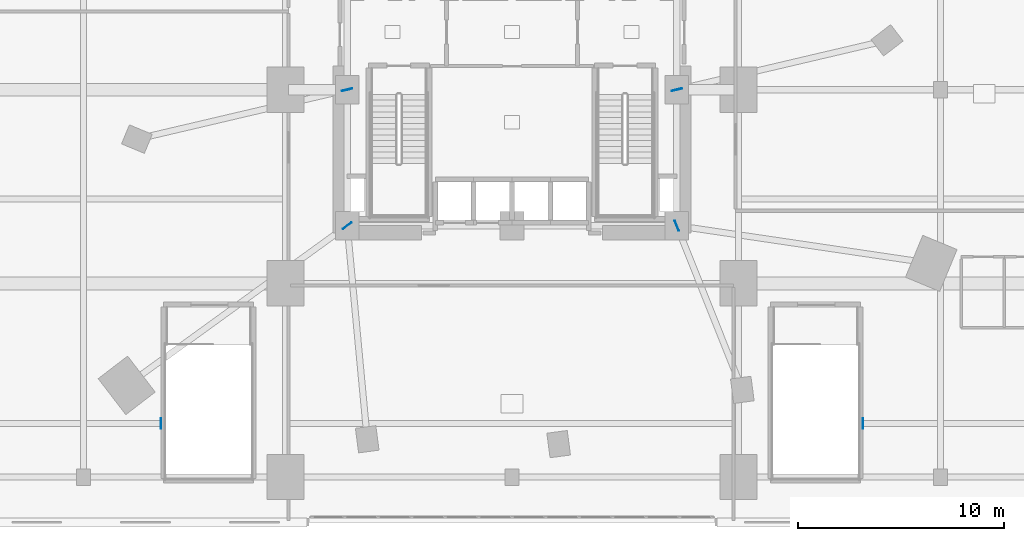
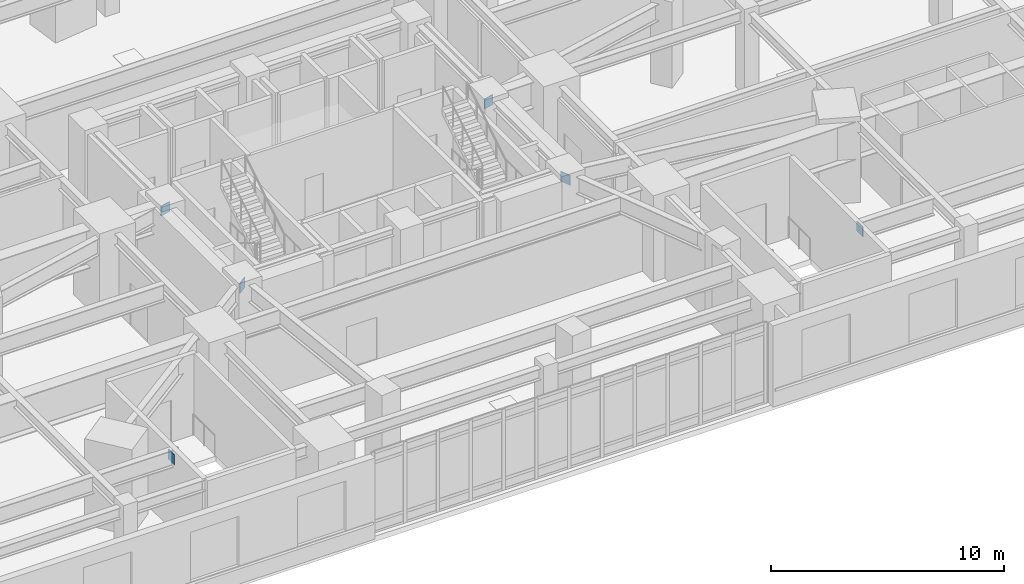
# One storey, part 13 of 20: 6 plates.
"""IFC4 building model written with IfcOpenShell, lengths in metres."""

from ifc_helpers import new_model, si_unit, direction, frame, origin, origin_2d, place, context, subcontext, project, spatial, rectangle, extrude, material, layer, layer_set, type_object, element, save


model = new_model("IFC4")

# Units and contexts
model_context = context("Model", 3, precision=1e-05, world=origin(), true_north=direction((0.0, 1.0)))
body_context = subcontext(model_context, "Body", "Model", "MODEL_VIEW")
ifc_project = project(units=[si_unit("LENGTHUNIT", "METRE"), si_unit("AREAUNIT", "SQUARE_METRE"), si_unit("VOLUMEUNIT", "CUBIC_METRE"), si_unit("PLANEANGLEUNIT", "RADIAN"), si_unit("MASSUNIT", "GRAM", prefix="KILO")], contexts=[model_context])

# Site, building, storey
site_placement = place(None, origin())
site = spatial("IfcSite", under=ifc_project, at=site_placement, CompositionType="ELEMENT")
building_placement = place(site_placement, origin())
building = spatial("IfcBuilding", under=site, at=building_placement, Name="Ndelora Gate Hotel", CompositionType="ELEMENT")
storey_placement = place(building_placement, frame((0.0, 0.0, 26.0)))
storey = spatial("IfcBuildingStorey", under=building, at=storey_placement, Name="L05", CompositionType="ELEMENT", Elevation=26.0)

# Plates
ifc_material = material(Name="Steel S460", Category="steel")
ifc_layer = layer(ifc_material, 0.035888671875)
ifc_layer_set = layer_set([ifc_layer], Name="Steel S460")
plate_type = type_object("IfcPlateType", Name="PL-EMBED-EP1", PredefinedType="USERDEFINED", material=ifc_layer_set)
for number, where, z_axis, x_axis, name in (
    (1, (-17.0400390625, -16.199951171875, 3.5400390625), (0.0, 0.0, 1.0), (0.0, 1.0, 0.0), "L05 Core shear-wall cast-in embed plate EP1"),
    (2, (17.0400390625, -16.199951171875, 3.5400390625), (0.0, 0.0, 1.0), (0.0, 1.0, 0.0), "L05 Core shear-wall cast-in embed plate EP1"),
    (3, (-8.0, 0.0, 3.5400390625), (0.0, 0.0, 1.0), (0.97349913407, 0.228690699339, 0.0), "L05 Core shear-wall cast-in embed plate EP1"),
    (4, (-8.0, -6.60009765625, 3.5400390625), (0.0, 0.0, 1.0), (0.809939286826, 0.586513726741, 0.0), "L05 Core shear-wall cast-in embed plate EP1"),
    (5, (8.0, -6.60009765625, 3.5400390625), (0.0, 0.0, 1.0), (-0.37055743751, 0.928809552872, 0.0), "L05 Core shear-wall cast-in embed plate EP1"),
    (6, (8.0, 0.0, 3.5400390625), (0.0, 0.0, 1.0), (0.97349913407, 0.228690699339, 0.0), "L05 Core shear-wall cast-in embed plate EP1"),
):
    element("IfcPlate", number, at=place(storey_placement, frame(where, z_axis=z_axis, x_axis=x_axis)), inside=storey, type_object=plate_type, Name=name, ObjectType="BASE_PLATE", PredefinedType="USERDEFINED", context=body_context, shape_type="SweptSolid", body=[
        extrude(rectangle(XDim=0.52001953125, YDim=0.035888671875, at=origin_2d()), origin(), (0.0, 0.0, 1.0), 0.52001953125),
    ])

save(model, "model.ifc")
